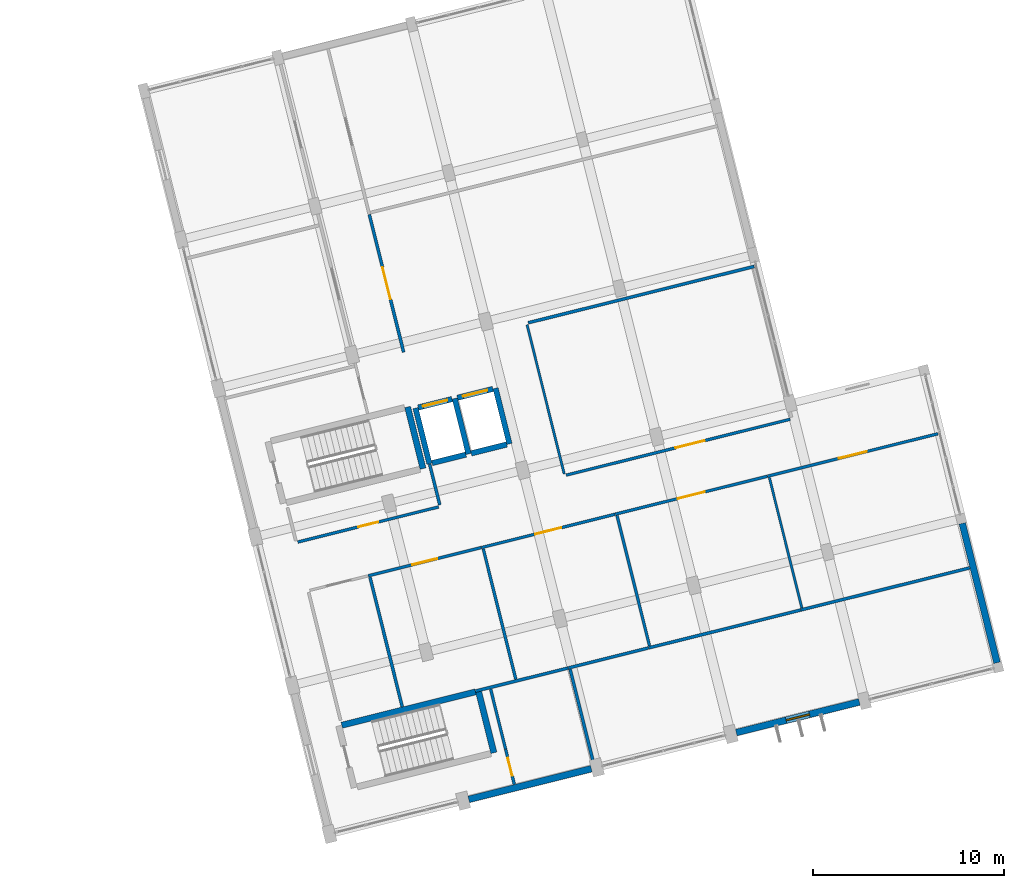
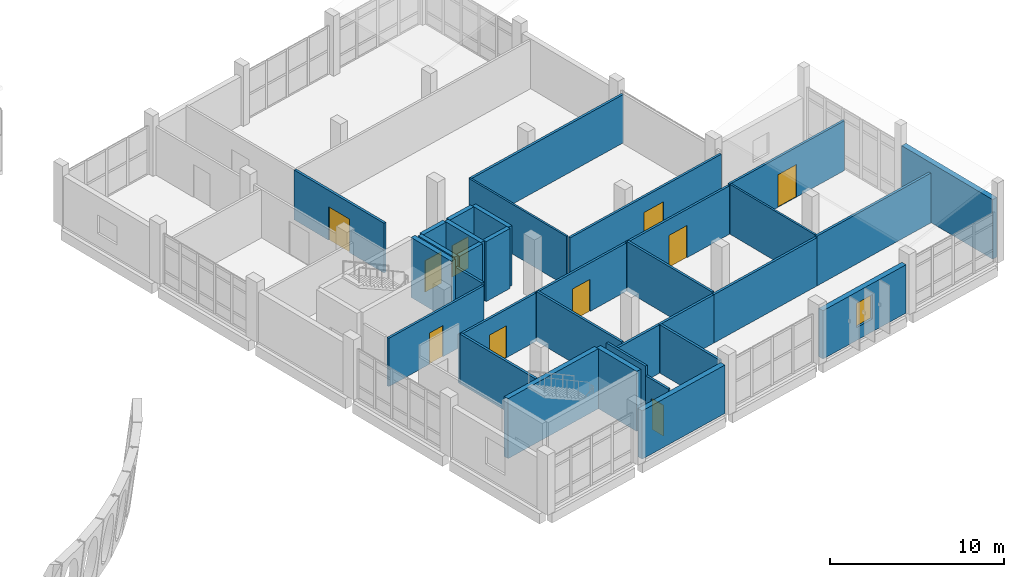
# One storey, part 148 of 164: 34 walls, 10 doors, 1 window, 11 openings.
"""IFC4 building model written with IfcOpenShell, lengths in metres."""

from ifc_helpers import new_model, si_unit, direction, frame, frame_2d, origin, place, context, subcontext, project, spatial, rectangle, extrude, material, layer, layer_set, type_object, element, fill, save


model = new_model("IFC4")

# Units and contexts
model_context = context("Model", 3, precision=1e-05, world=origin(), true_north=direction((0.0, 1.0)))
body_context = subcontext(model_context, "Body", "Model", "MODEL_VIEW")
ifc_project = project(units=[si_unit("LENGTHUNIT", "METRE"), si_unit("AREAUNIT", "SQUARE_METRE"), si_unit("VOLUMEUNIT", "CUBIC_METRE"), si_unit("PLANEANGLEUNIT", "RADIAN"), si_unit("MASSUNIT", "GRAM", prefix="KILO")], contexts=[model_context])

# Site, building, storey
site_placement = place(None, origin())
site = spatial("IfcSite", under=ifc_project, at=site_placement, CompositionType="ELEMENT")
building_placement = place(site_placement, origin())
building = spatial("IfcBuilding", under=site, at=building_placement, Name="Mawjan Specialist Oncology Clinic", CompositionType="ELEMENT")
storey_placement = place(building_placement, frame((0.0, 0.0, 5.0)))
storey = spatial("IfcBuildingStorey", under=building, at=storey_placement, Name="L01", CompositionType="ELEMENT", Elevation=5.0)

# Wall
ifc_material_1 = material(Name="Precast concrete C40/50", Category="concrete")
ifc_layer_1 = layer(ifc_material_1, 0.35009765625, Name="Precast concrete C40/50", Category="concrete")
ifc_layer_set_1 = layer_set([ifc_layer_1], Name="Precast concrete C40/50")
wall_type_1 = type_object("IfcWallType", Name="EW-350", PredefinedType="SOLIDWALL", material=ifc_layer_set_1)
wall_1_placement = place(storey_placement, frame((159.0556640625, 17.029052734375, 0.0), z_axis=(0.0, 0.0, 1.0), x_axis=(0.241922842305, -0.970295490235, 0.0)))
element("IfcWall", 1, at=wall_1_placement, inside=storey, type_object=wall_type_1, Name="L01 Coral-Limestone Exterior Wall EW-L01-074", PredefinedType="SOLIDWALL", context=body_context, shape_type="SweptSolid", body=[
    extrude(rectangle(XDim=7.500244140625, YDim=0.35009765625, at=frame_2d((3.75, 0.0))), origin(), (0.0, 0.0, 1.0), 4.169921875),
])

# Wall, opening, window
wall_2_placement = place(storey_placement, frame((153.677734375, 7.700927734375, 0.0), z_axis=(0.0, 0.0, 1.0), x_axis=(-0.970294050816, -0.241928615405, 0.0)))
wall_2 = element("IfcWall", 2, at=wall_2_placement, inside=storey, type_object=wall_type_1, Name="L01 Coral-Limestone Exterior Wall EW-L01-075", PredefinedType="SOLIDWALL", context=body_context, shape_type="SweptSolid", body=[
    extrude(rectangle(XDim=6.625, YDim=0.35009765625, at=frame_2d((3.3125, 0.0))), origin(), (0.0, 0.0, 1.0), 3.385009765625),
])
opening_1_placement = place(wall_2_placement, frame((2.6875, 0.0, 0.89990234375)))
opening_1 = element("IfcOpeningElement", 3, at=opening_1_placement, cuts=wall_2, Name="Opening WN-11", PredefinedType="OPENING", context=body_context, shape_type="SweptSolid", body=[
    extrude(rectangle(XDim=1.25, YDim=1.699951171875, at=frame_2d((0.625, 0.85009765625))), frame((0.0, 0.18701171875, 0.0), z_axis=(0.0, -1.0, 0.0), x_axis=(1.0, 0.0, 0.0)), (0.0, 0.0, 1.0), 0.3740234375),
])
ifc_material_2 = material(Name="Thermally broken low-E clinical aluminium window", Category="aluminium")
window_type = type_object("IfcWindowType", Name="WN-11", PartitioningType="SINGLE_PANEL", PredefinedType="WINDOW", material=ifc_material_2)
window_placement = place(opening_1_placement, origin())
window = element("IfcWindow", 4, at=window_placement, inside=storey, type_object=window_type, Name="L01 Clinical Low-E Window 011", OverallHeight=1.699951171875, OverallWidth=1.25, PartitioningType="SINGLE_PANEL", PredefinedType="WINDOW", context=body_context, shape_type="SweptSolid", body=[
    extrude(rectangle(XDim=1.25, YDim=1.699951171875, at=frame_2d((0.625, 0.85009765625))), frame((0.0, 0.030029296875, 0.0), z_axis=(0.0, -1.0, 0.0), x_axis=(1.0, 0.0, 0.0)), (0.0, 0.0, 1.0), 0.06005859375),
])
fill(opening_1, window)

# Walls
wall_3_placement = place(storey_placement, frame((139.68115234375, 4.211181640625, 0.0), z_axis=(0.0, 0.0, 1.0), x_axis=(-0.970296792907, -0.241917617537, 0.0)))
element("IfcWall", 5, at=wall_3_placement, inside=storey, type_object=wall_type_1, Name="L01 Coral-Limestone Exterior Wall EW-L01-076", PredefinedType="SOLIDWALL", context=body_context, shape_type="SweptSolid", body=[
    extrude(rectangle(XDim=6.60009765625, YDim=0.35009765625, at=frame_2d((3.300048828125, 0.0))), origin(), (0.0, 0.0, 1.0), 3.385009765625),
])
ifc_material_3 = material(Name="Concrete C45/55", Category="concrete")
ifc_layer_2 = layer(ifc_material_3, 0.280029296875, Name="Concrete C45/55", Category="concrete")
ifc_layer_set_2 = layer_set([ifc_layer_2], Name="Concrete C45/55")
wall_type_2 = type_object("IfcWallType", Name="SW-300", PredefinedType="SHEAR", material=ifc_layer_set_2)
wall_4_placement = place(storey_placement, frame((131.36328125, 20.17578125, 0.0), z_axis=(0.0, 0.0, 1.0), x_axis=(0.970284587517, 0.241966566341, 0.0)))
element("IfcWall", 6, at=wall_4_placement, inside=storey, type_object=wall_type_2, Name="L01 LF-01 Hoistway Wall 1", PredefinedType="SHEAR", context=body_context, shape_type="SweptSolid", body=[
    extrude(rectangle(XDim=1.817138671875, YDim=0.280029296875, at=frame_2d((0.90869140625, 0.0))), origin(), (0.0, 0.0, 1.0), 4.199951171875),
])
wall_5_placement = place(storey_placement, frame((133.26708984375, 20.650634765625, 0.0), z_axis=(0.0, 0.0, 1.0), x_axis=(-0.241921647353, 0.970295788171, 0.0)))
element("IfcWall", 7, at=wall_5_placement, inside=storey, type_object=wall_type_2, Name="L01 LF-01 Hoistway Wall 2", PredefinedType="SHEAR", context=body_context, shape_type="SweptSolid", body=[
    extrude(rectangle(XDim=2.994140625, YDim=0.280029296875, at=frame_2d((1.4970703125, 0.0))), origin(), (0.0, 0.0, 1.0), 4.199951171875),
])

# Wall, opening, door
wall_6_placement = place(storey_placement, frame((132.402099609375, 23.52099609375, 0.0), z_axis=(0.0, 0.0, 1.0), x_axis=(-0.970284587517, -0.241966566341, 0.0)))
wall_6 = element("IfcWall", 8, at=wall_6_placement, inside=storey, type_object=wall_type_2, Name="L01 LF-01 Hoistway Wall 3", PredefinedType="SHEAR", context=body_context, shape_type="SweptSolid", body=[
    extrude(rectangle(XDim=1.817138671875, YDim=0.280029296875, at=frame_2d((0.90869140625, 0.0))), origin(), (0.0, 0.0, 1.0), 4.199951171875),
])
opening_2_placement = place(wall_6_placement, frame((0.258544921875, 0.0, 0.0)))
opening_2 = element("IfcOpeningElement", 9, at=opening_2_placement, cuts=wall_6, Name="Opening LD-01-L01", PredefinedType="OPENING", context=body_context, shape_type="SweptSolid", body=[
    extrude(rectangle(XDim=1.300048828125, YDim=2.199951171875, at=frame_2d((0.64990234375, 1.10009765625))), frame((0.0, 0.152099609375, 0.0), z_axis=(0.0, -1.0, 0.0), x_axis=(1.0, 0.0, 0.0)), (0.0, 0.0, 1.0), 0.303955078125),
])
ifc_material_4 = material(Name="Stainless-steel fire-rated hospital door", Category="steel")
door_type_1 = type_object("IfcDoorType", Name="LD-130", OperationType="SLIDING_TO_LEFT", PredefinedType="DOOR", material=ifc_material_4)
door_1_placement = place(opening_2_placement, origin())
door_1 = element("IfcDoor", 10, at=door_1_placement, inside=storey, type_object=door_type_1, Name="L01 LF-01 Sliding Lift Landing Door", OperationType="SLIDING_TO_LEFT", OverallHeight=2.199951171875, OverallWidth=1.300048828125, PredefinedType="DOOR", context=body_context, shape_type="SweptSolid", body=[
    extrude(rectangle(XDim=1.300048828125, YDim=2.199951171875, at=frame_2d((0.64990234375, 1.10009765625))), frame((0.0, 0.02490234375, 0.0), z_axis=(0.0, -1.0, 0.0), x_axis=(1.0, 0.0, 0.0)), (0.0, 0.0, 1.0), 0.050048828125),
])
fill(opening_2, door_1)

# Walls
wall_7_placement = place(storey_placement, frame((130.498291015625, 23.046142578125, 0.0), z_axis=(0.0, 0.0, 1.0), x_axis=(0.241921647353, -0.970295788171, 0.0)))
element("IfcWall", 11, at=wall_7_placement, inside=storey, type_object=wall_type_2, Name="L01 LF-01 Hoistway Wall 4", PredefinedType="SHEAR", context=body_context, shape_type="SweptSolid", body=[
    extrude(rectangle(XDim=2.994140625, YDim=0.280029296875, at=frame_2d((1.4970703125, 0.0))), origin(), (0.0, 0.0, 1.0), 4.199951171875),
])
wall_8_placement = place(storey_placement, frame((133.407958984375, 20.685546875, 0.0), z_axis=(0.0, 0.0, 1.0), x_axis=(0.970285190026, 0.241964150272, 0.0)))
element("IfcWall", 12, at=wall_8_placement, inside=storey, type_object=wall_type_2, Name="L01 LF-02 Hoistway Wall 1", PredefinedType="SHEAR", context=body_context, shape_type="SweptSolid", body=[
    extrude(rectangle(XDim=1.909912109375, YDim=0.280029296875, at=frame_2d((0.955078125, 0.0))), origin(), (0.0, 0.0, 1.0), 4.199951171875),
])
wall_9_placement = place(storey_placement, frame((135.40185546875, 21.182861328125, 0.0), z_axis=(0.0, 0.0, 1.0), x_axis=(-0.241921647353, 0.970295788171, 0.0)))
element("IfcWall", 13, at=wall_9_placement, inside=storey, type_object=wall_type_2, Name="L01 LF-02 Hoistway Wall 2", PredefinedType="SHEAR", context=body_context, shape_type="SweptSolid", body=[
    extrude(rectangle(XDim=2.994140625, YDim=0.280029296875, at=frame_2d((1.4970703125, 0.0))), origin(), (0.0, 0.0, 1.0), 4.199951171875),
])

# Wall, opening, door
wall_10_placement = place(storey_placement, frame((134.53662109375, 24.05322265625, 0.0), z_axis=(0.0, 0.0, 1.0), x_axis=(-0.970285190026, -0.241964150272, 0.0)))
wall_10 = element("IfcWall", 14, at=wall_10_placement, inside=storey, type_object=wall_type_2, Name="L01 LF-02 Hoistway Wall 3", PredefinedType="SHEAR", context=body_context, shape_type="SweptSolid", body=[
    extrude(rectangle(XDim=1.909912109375, YDim=0.280029296875, at=frame_2d((0.955078125, 0.0))), origin(), (0.0, 0.0, 1.0), 4.199951171875),
])
opening_3_placement = place(wall_10_placement, frame((0.304931640625, 0.0, 0.0)))
opening_3 = element("IfcOpeningElement", 15, at=opening_3_placement, cuts=wall_10, Name="Opening LD-02-L01", PredefinedType="OPENING", context=body_context, shape_type="SweptSolid", body=[
    extrude(rectangle(XDim=1.300048828125, YDim=2.199951171875, at=frame_2d((0.64990234375, 1.10009765625))), frame((0.0, 0.152099609375, 0.0), z_axis=(0.0, -1.0, 0.0), x_axis=(1.0, 0.0, 0.0)), (0.0, 0.0, 1.0), 0.303955078125),
])
door_2_placement = place(opening_3_placement, origin())
door_2 = element("IfcDoor", 16, at=door_2_placement, inside=storey, type_object=door_type_1, Name="L01 LF-02 Sliding Lift Landing Door", OperationType="SLIDING_TO_RIGHT", OverallHeight=2.199951171875, OverallWidth=1.300048828125, PredefinedType="DOOR", context=body_context, shape_type="SweptSolid", body=[
    extrude(rectangle(XDim=1.300048828125, YDim=2.199951171875, at=frame_2d((0.64990234375, 1.10009765625))), frame((0.0, 0.02490234375, 0.0), z_axis=(0.0, -1.0, 0.0), x_axis=(1.0, 0.0, 0.0)), (0.0, 0.0, 1.0), 0.050048828125),
])
fill(opening_3, door_2)

# Walls
ifc_material_5 = material(Name="Concrete C45/55", Category="concrete")
ifc_layer_3 = layer(ifc_material_5, 0.320068359375, Name="Concrete C45/55", Category="concrete")
ifc_layer_set_3 = layer_set([ifc_layer_3], Name="Concrete C45/55")
wall_type_3 = type_object("IfcWallType", Name="SW-350", PredefinedType="SHEAR", material=ifc_layer_set_3)
wall_11_placement = place(storey_placement, frame((130.886962890625, 19.889404296875, 0.0), z_axis=(0.0, 0.0, 1.0), x_axis=(-0.241947258837, 0.970289402158, 0.0)))
element("IfcWall", 17, at=wall_11_placement, inside=storey, type_object=wall_type_3, Name="L01 Core K5 Stair Shear Wall 2", PredefinedType="SHEAR", context=body_context, shape_type="SweptSolid", body=[
    extrude(rectangle(XDim=3.31982421875, YDim=0.320068359375, at=frame_2d((1.659912109375, 0.0))), origin(), (0.0, 0.0, 1.0), 4.199951171875),
])
wall_12_placement = place(storey_placement, frame((134.58837890625, 5.043701171875, 0.0), z_axis=(0.0, 0.0, 1.0), x_axis=(-0.241929995817, 0.970293706629, 0.0)))
element("IfcWall", 18, at=wall_12_placement, inside=storey, type_object=wall_type_3, Name="L01 Core K6 Stair Shear Wall 2", PredefinedType="SHEAR", context=body_context, shape_type="SweptSolid", body=[
    extrude(rectangle(XDim=3.320068359375, YDim=0.320068359375, at=frame_2d((1.66015625, 0.0))), origin(), (0.0, 0.0, 1.0), 4.199951171875),
])
wall_13_placement = place(storey_placement, frame((133.625244140625, 8.225341796875, 0.0), z_axis=(0.0, 0.0, 1.0), x_axis=(-0.970294108333, -0.241928384724, 0.0)))
element("IfcWall", 19, at=wall_13_placement, inside=storey, type_object=wall_type_3, Name="L01 Core K6 Stair Shear Wall 3", PredefinedType="SHEAR", context=body_context, shape_type="SweptSolid", body=[
    extrude(rectangle(XDim=7.190185546875, YDim=0.320068359375, at=frame_2d((3.59521484375, 0.0))), origin(), (0.0, 0.0, 1.0), 4.199951171875),
])
ifc_material_6 = material(Name="Moisture-resistant washroom partition", Category="gypsum")
ifc_layer_4 = layer(ifc_material_6, 0.125, Name="Moisture-resistant washroom partition", Category="gypsum")
ifc_layer_set_4 = layer_set([ifc_layer_4], Name="Moisture-resistant washroom partition")
wall_type_4 = type_object("IfcWallType", Name="WP-125", PredefinedType="PARTITIONING", material=ifc_layer_set_4)
wall_14_placement = place(storey_placement, frame((150.677001953125, 12.60546875, 0.0), z_axis=(0.0, 0.0, 1.0), x_axis=(-0.241914380839, 0.970297599885, 0.0)))
element("IfcWall", 20, at=wall_14_placement, inside=storey, type_object=wall_type_4, Name="L01 Interior Partition W-RINT-L01-RCS4-E", PredefinedType="PARTITIONING", context=body_context, shape_type="SweptSolid", body=[
    extrude(rectangle(XDim=7.028076171875, YDim=0.125, at=frame_2d((3.51416015625, 0.0))), origin(), (0.0, 0.0, 1.0), 3.485107421875),
])
wall_15_placement = place(storey_placement, frame((138.263671875, 19.610595703125, 0.0), z_axis=(0.0, 0.0, 1.0), x_axis=(-0.241920353256, 0.970296110824, 0.0)))
element("IfcWall", 21, at=wall_15_placement, inside=storey, type_object=wall_type_4, Name="L01 Interior Partition W-RINT-L01-RDE1-W", PredefinedType="PARTITIONING", context=body_context, shape_type="SweptSolid", body=[
    extrude(rectangle(XDim=8.030029296875, YDim=0.125, at=frame_2d((4.01513671875, 0.0))), origin(), (0.0, 0.0, 1.0), 3.485107421875),
])

# Wall, opening, door
ifc_material_7 = material(Name="Acoustic gypsum clinical partition", Category="gypsum")
ifc_layer_5 = layer(ifc_material_7, 0.14990234375, Name="Acoustic gypsum clinical partition", Category="gypsum")
ifc_layer_set_5 = layer_set([ifc_layer_5], Name="Acoustic gypsum clinical partition")
wall_type_5 = type_object("IfcWallType", Name="WP-150", PredefinedType="PARTITIONING", material=ifc_layer_set_5)
wall_16_placement = place(storey_placement, frame((124.345947265625, 16.052978515625, 0.0), z_axis=(0.0, 0.0, 1.0), x_axis=(0.970295772287, 0.241921711059, 0.0)))
wall_16 = element("IfcWall", 22, at=wall_16_placement, inside=storey, type_object=wall_type_5, Name="L01 Interior Partition W-RINT-L01-RKS-S", PredefinedType="PARTITIONING", context=body_context, shape_type="SweptSolid", body=[
    extrude(rectangle(XDim=7.579833984375, YDim=0.14990234375, at=frame_2d((3.7900390625, 0.0))), origin(), (0.0, 0.0, 1.0), 3.385009765625),
])
opening_4_placement = place(wall_16_placement, frame((3.25, 0.0, 0.0)))
opening_4 = element("IfcOpeningElement", 23, at=opening_4_placement, cuts=wall_16, Name="Opening DI-108", PredefinedType="OPENING", context=body_context, shape_type="SweptSolid", body=[
    extrude(rectangle(XDim=1.080078125, YDim=2.179931640625, at=frame_2d((0.5400390625, 1.08984375))), frame((0.0, 0.0869140625, 0.0), z_axis=(0.0, -1.0, 0.0), x_axis=(1.0, 0.0, 0.0)), (0.0, 0.0, 1.0), 0.173828125),
])
ifc_material_8 = material(Name="Acoustic laminate hospital door leaf", Category="wood")
door_type_2 = type_object("IfcDoorType", Name="DI-108", OperationType="NOTDEFINED", PredefinedType="DOOR", material=ifc_material_8)
door_3_placement = place(opening_4_placement, origin())
door_3 = element("IfcDoor", 24, at=door_3_placement, inside=storey, type_object=door_type_2, Name="L01 Research Clean Supply Room Door", OperationType="SINGLE_SWING_LEFT", OverallHeight=2.179931640625, OverallWidth=1.080078125, PredefinedType="DOOR", context=body_context, shape_type="SweptSolid", body=[
    extrude(rectangle(XDim=1.080078125, YDim=2.179931640625, at=frame_2d((0.5400390625, 1.08984375))), frame((0.0, 0.02490234375, 0.0), z_axis=(0.0, -1.0, 0.0), x_axis=(1.0, 0.0, 0.0)), (0.0, 0.0, 1.0), 0.050048828125),
])
fill(opening_4, door_3)

wall_17_placement = place(storey_placement, frame((135.65771484375, 3.400634765625, 0.0), z_axis=(0.0, 0.0, 1.0), x_axis=(-0.241923827719, 0.970295244543, 0.0)))
wall_17 = element("IfcWall", 25, at=wall_17_placement, inside=storey, type_object=wall_type_5, Name="L01 Interior Partition W-RINT-L01-RSE-W", PredefinedType="PARTITIONING", context=body_context, shape_type="SweptSolid", body=[
    extrude(rectangle(XDim=1.878173828125, YDim=0.14990234375, at=frame_2d((0.93896484375, 0.0))), origin(), (0.0, 0.0, 1.0), 3.534912109375),
])
opening_5_placement = place(wall_17_placement, frame((0.464111328125, 0.0, 0.0)))
opening_5 = element("IfcOpeningElement", 26, at=opening_5_placement, cuts=wall_17, Name="Opening DA-95", PredefinedType="OPENING", context=body_context, shape_type="SweptSolid", body=[
    extrude(rectangle(XDim=0.949951171875, YDim=2.14990234375, at=frame_2d((0.47509765625, 1.074951171875))), frame((0.0, 0.0869140625, 0.0), z_axis=(0.0, -1.0, 0.0), x_axis=(1.0, 0.0, 0.0)), (0.0, 0.0, 1.0), 0.173828125),
])
ifc_material_9 = material(Name="Acoustic laminate hospital door leaf", Category="wood")
door_type_3 = type_object("IfcDoorType", Name="DA-95", OperationType="NOTDEFINED", PredefinedType="DOOR", material=ifc_material_9)
door_4_placement = place(opening_5_placement, origin())
door_4 = element("IfcDoor", 27, at=door_4_placement, inside=storey, type_object=door_type_3, Name="L01 Clinical Protocol Review Office Door", OperationType="SINGLE_SWING_LEFT", OverallHeight=2.14990234375, OverallWidth=0.949951171875, PredefinedType="DOOR", context=body_context, shape_type="SweptSolid", body=[
    extrude(rectangle(XDim=0.949951171875, YDim=2.14990234375, at=frame_2d((0.47509765625, 1.074951171875))), frame((0.0, 0.02490234375, 0.0), z_axis=(0.0, -1.0, 0.0), x_axis=(1.0, 0.0, 0.0)), (0.0, 0.0, 1.0), 0.050048828125),
])
fill(opening_5, door_4)

wall_18_placement = place(storey_placement, frame((128.0234375, 14.290283203125, 0.0), z_axis=(0.0, 0.0, 1.0), x_axis=(0.970293282145, 0.241931698263, 0.0)))
wall_18 = element("IfcWall", 28, at=wall_18_placement, inside=storey, type_object=wall_type_5, Name="L01 Interior Partition W-RINT-L01-RAS2-N", PredefinedType="PARTITIONING", context=body_context, shape_type="SweptSolid", body=[
    extrude(rectangle(XDim=6.088134765625, YDim=0.14990234375, at=frame_2d((3.0439453125, 0.0))), origin(), (0.0, 0.0, 1.0), 3.385009765625),
])
opening_6_placement = place(wall_18_placement, frame((2.3740234375, 0.0, 0.0)))
opening_6 = element("IfcOpeningElement", 29, at=opening_6_placement, cuts=wall_18, Name="Opening DC-134", PredefinedType="OPENING", context=body_context, shape_type="SweptSolid", body=[
    extrude(rectangle(XDim=1.340087890625, YDim=2.239990234375, at=frame_2d((0.669921875, 1.1201171875))), frame((0.0, 0.0869140625, 0.0), z_axis=(0.0, -1.0, 0.0), x_axis=(1.0, 0.0, 0.0)), (0.0, 0.0, 1.0), 0.173828125),
])
ifc_material_10 = material(Name="Acoustic laminate hospital door leaf", Category="wood")
door_type_4 = type_object("IfcDoorType", Name="DC-134", OperationType="NOTDEFINED", PredefinedType="DOOR", material=ifc_material_10)
door_5_placement = place(opening_6_placement, origin())
door_5 = element("IfcDoor", 30, at=door_5_placement, inside=storey, type_object=door_type_4, Name="L01 Molecular Pathology Laboratory Door", OperationType="SINGLE_SWING_RIGHT", OverallHeight=2.239990234375, OverallWidth=1.340087890625, PredefinedType="DOOR", context=body_context, shape_type="SweptSolid", body=[
    extrude(rectangle(XDim=1.340087890625, YDim=2.239990234375, at=frame_2d((0.669921875, 1.1201171875))), frame((0.0, 0.02490234375, 0.0), z_axis=(0.0, -1.0, 0.0), x_axis=(1.0, 0.0, 0.0)), (0.0, 0.0, 1.0), 0.050048828125),
])
fill(opening_6, door_5)

wall_19_placement = place(storey_placement, frame((133.9423828125, 15.765869140625, 0.0), z_axis=(0.0, 0.0, 1.0), x_axis=(0.970292162734, 0.241936187739, 0.0)))
wall_19 = element("IfcWall", 31, at=wall_19_placement, inside=storey, type_object=wall_type_5, Name="L01 Interior Partition W-RINT-L01-RBS3-N", PredefinedType="PARTITIONING", context=body_context, shape_type="SweptSolid", body=[
    extrude(rectangle(XDim=7.18798828125, YDim=0.14990234375, at=frame_2d((3.593994140625, 0.0))), origin(), (0.0, 0.0, 1.0), 3.385009765625),
])
opening_7_placement = place(wall_19_placement, frame((2.89404296875, 0.0, 0.0)))
opening_7 = element("IfcOpeningElement", 32, at=opening_7_placement, cuts=wall_19, Name="Opening DC-140", PredefinedType="OPENING", context=body_context, shape_type="SweptSolid", body=[
    extrude(rectangle(XDim=1.39990234375, YDim=2.25, at=frame_2d((0.699951171875, 1.125))), frame((0.0, 0.0869140625, 0.0), z_axis=(0.0, -1.0, 0.0), x_axis=(1.0, 0.0, 0.0)), (0.0, 0.0, 1.0), 0.173828125),
])
ifc_material_11 = material(Name="Acoustic laminate hospital door leaf", Category="wood")
door_type_5 = type_object("IfcDoorType", Name="DC-140", OperationType="NOTDEFINED", PredefinedType="DOOR", material=ifc_material_11)
door_6_placement = place(opening_7_placement, origin())
door_6 = element("IfcDoor", 33, at=door_6_placement, inside=storey, type_object=door_type_5, Name="L01 Histopathology Staining Lab Door", OperationType="SINGLE_SWING_LEFT", OverallHeight=2.25, OverallWidth=1.39990234375, PredefinedType="DOOR", context=body_context, shape_type="SweptSolid", body=[
    extrude(rectangle(XDim=1.39990234375, YDim=2.25, at=frame_2d((0.699951171875, 1.125))), frame((0.0, 0.02490234375, 0.0), z_axis=(0.0, -1.0, 0.0), x_axis=(1.0, 0.0, 0.0)), (0.0, 0.0, 1.0), 0.050048828125),
])
fill(opening_7, door_6)

wall_20_placement = place(storey_placement, frame((140.928466796875, 17.5078125, 0.0), z_axis=(0.0, 0.0, 1.0), x_axis=(0.970293149657, 0.241932229621, 0.0)))
wall_20 = element("IfcWall", 34, at=wall_20_placement, inside=storey, type_object=wall_type_5, Name="L01 Interior Partition W-RINT-L01-RCS4-N", PredefinedType="PARTITIONING", context=body_context, shape_type="SweptSolid", body=[
    extrude(rectangle(XDim=8.18798828125, YDim=0.14990234375, at=frame_2d((4.093994140625, 0.0))), origin(), (0.0, 0.0, 1.0), 3.385009765625),
])
opening_8_placement = place(wall_20_placement, frame((3.368896484375, 0.0, 0.0)))
opening_8 = element("IfcOpeningElement", 35, at=opening_8_placement, cuts=wall_20, Name="Opening DC-145", PredefinedType="OPENING", context=body_context, shape_type="SweptSolid", body=[
    extrude(rectangle(XDim=1.449951171875, YDim=2.260009765625, at=frame_2d((0.72509765625, 1.1298828125))), frame((0.0, 0.0869140625, 0.0), z_axis=(0.0, -1.0, 0.0), x_axis=(1.0, 0.0, 0.0)), (0.0, 0.0, 1.0), 0.173828125),
])
ifc_material_12 = material(Name="Acoustic laminate hospital door leaf", Category="wood")
door_type_6 = type_object("IfcDoorType", Name="DC-145", OperationType="NOTDEFINED", PredefinedType="DOOR", material=ifc_material_12)
door_7_placement = place(opening_8_placement, origin())
door_7 = element("IfcDoor", 36, at=door_7_placement, inside=storey, type_object=door_type_6, Name="L01 Flow Cytometry Diagnostic Lab Door", OperationType="SINGLE_SWING_LEFT", OverallHeight=2.260009765625, OverallWidth=1.449951171875, PredefinedType="DOOR", context=body_context, shape_type="SweptSolid", body=[
    extrude(rectangle(XDim=1.449951171875, YDim=2.260009765625, at=frame_2d((0.72509765625, 1.1298828125))), frame((0.0, 0.02490234375, 0.0), z_axis=(0.0, -1.0, 0.0), x_axis=(1.0, 0.0, 0.0)), (0.0, 0.0, 1.0), 0.050048828125),
])
fill(opening_8, door_7)

wall_21_placement = place(storey_placement, frame((148.884765625, 19.491455078125, 0.0), z_axis=(0.0, 0.0, 1.0), x_axis=(0.970294203895, 0.241928001454, 0.0)))
wall_21 = element("IfcWall", 37, at=wall_21_placement, inside=storey, type_object=wall_type_5, Name="L01 Interior Partition W-RINT-L01-RDS5-N", PredefinedType="PARTITIONING", context=body_context, shape_type="SweptSolid", body=[
    extrude(rectangle(XDim=9.171142578125, YDim=0.14990234375, at=frame_2d((4.58544921875, 0.0))), origin(), (0.0, 0.0, 1.0), 3.485107421875),
])
opening_9_placement = place(wall_21_placement, frame((3.83544921875, 0.0, 0.0)))
opening_9 = element("IfcOpeningElement", 38, at=opening_9_placement, cuts=wall_21, Name="Opening DC-150", PredefinedType="OPENING", context=body_context, shape_type="SweptSolid", body=[
    extrude(rectangle(XDim=1.5, YDim=2.280029296875, at=frame_2d((0.75, 1.14013671875))), frame((0.0, 0.0869140625, 0.0), z_axis=(0.0, -1.0, 0.0), x_axis=(1.0, 0.0, 0.0)), (0.0, 0.0, 1.0), 0.173828125),
])
ifc_material_13 = material(Name="Acoustic laminate hospital door leaf", Category="wood")
door_type_7 = type_object("IfcDoorType", Name="DC-150", OperationType="NOTDEFINED", PredefinedType="DOOR", material=ifc_material_13)
door_8_placement = place(opening_9_placement, origin())
door_8 = element("IfcDoor", 39, at=door_8_placement, inside=storey, type_object=door_type_7, Name="L01 Tumor Board Conference Hall Door", OperationType="SINGLE_SWING_RIGHT", OverallHeight=2.280029296875, OverallWidth=1.5, PredefinedType="DOOR", context=body_context, shape_type="SweptSolid", body=[
    extrude(rectangle(XDim=1.5, YDim=2.280029296875, at=frame_2d((0.75, 1.14013671875))), frame((0.0, 0.02490234375, 0.0), z_axis=(0.0, -1.0, 0.0), x_axis=(1.0, 0.0, 0.0)), (0.0, 0.0, 1.0), 0.050048828125),
])
fill(opening_9, door_8)

wall_22_placement = place(storey_placement, frame((138.36669921875, 19.548583984375, 0.0), z_axis=(0.0, 0.0, 1.0), x_axis=(0.970292357867, 0.241935405151, 0.0)))
wall_22 = element("IfcWall", 40, at=wall_22_placement, inside=storey, type_object=wall_type_5, Name="L01 Interior Partition W-RINT-L01-RDE1-S", PredefinedType="PARTITIONING", context=body_context, shape_type="SweptSolid", body=[
    extrude(rectangle(XDim=12.059814453125, YDim=0.14990234375, at=frame_2d((6.02978515625, 0.0))), origin(), (0.0, 0.0, 1.0), 3.385009765625),
])
opening_10_placement = place(wall_22_placement, frame((5.8798828125, 0.0, 0.0)))
opening_10 = element("IfcOpeningElement", 41, at=opening_10_placement, cuts=wall_22, Name="Opening DC-156", PredefinedType="OPENING", context=body_context, shape_type="SweptSolid", body=[
    extrude(rectangle(XDim=1.56005859375, YDim=2.300048828125, at=frame_2d((0.780029296875, 1.14990234375))), frame((0.0, 0.0869140625, 0.0), z_axis=(0.0, -1.0, 0.0), x_axis=(1.0, 0.0, 0.0)), (0.0, 0.0, 1.0), 0.173828125),
])
ifc_material_14 = material(Name="Acoustic laminate hospital door leaf", Category="wood")
door_type_8 = type_object("IfcDoorType", Name="DC-156", OperationType="NOTDEFINED", PredefinedType="DOOR", material=ifc_material_14)
door_9_placement = place(opening_10_placement, origin())
door_9 = element("IfcDoor", 42, at=door_9_placement, inside=storey, type_object=door_type_8, Name="L01 East Tumor Board Conference Hall Door", OperationType="SINGLE_SWING_RIGHT", OverallHeight=2.300048828125, OverallWidth=1.56005859375, PredefinedType="DOOR", context=body_context, shape_type="SweptSolid", body=[
    extrude(rectangle(XDim=1.56005859375, YDim=2.300048828125, at=frame_2d((0.780029296875, 1.14990234375))), frame((0.0, 0.02490234375, 0.0), z_axis=(0.0, -1.0, 0.0), x_axis=(1.0, 0.0, 0.0)), (0.0, 0.0, 1.0), 0.050048828125),
])
fill(opening_10, door_9)

# Walls
wall_23_placement = place(storey_placement, frame((135.200439453125, 5.234619140625, 0.0), z_axis=(0.0, 0.0, 1.0), x_axis=(-0.241877725159, 0.970306738136, 0.0)))
element("IfcWall", 43, at=wall_23_placement, inside=storey, type_object=wall_type_5, Name="L01 Interior Partition W-RINT-L01-RSE-WB", PredefinedType="PARTITIONING", context=body_context, shape_type="SweptSolid", body=[
    extrude(rectangle(XDim=3.23095703125, YDim=0.14990234375, at=frame_2d((1.615478515625, 0.0))), origin(), (0.0, 0.0, 1.0), 4.199951171875),
])
wall_24_placement = place(storey_placement, frame((135.732666015625, 8.88671875, 0.0), z_axis=(0.0, 0.0, 1.0), x_axis=(-0.241913757308, 0.970297755344, 0.0)))
element("IfcWall", 44, at=wall_24_placement, inside=storey, type_object=wall_type_5, Name="L01 Interior Partition W-RINT-L01-RAS2-E", PredefinedType="PARTITIONING", context=body_context, shape_type="SweptSolid", body=[
    extrude(rectangle(XDim=7.02099609375, YDim=0.14990234375, at=frame_2d((3.510498046875, 0.0))), origin(), (0.0, 0.0, 1.0), 3.485107421875),
])
wall_25_placement = place(storey_placement, frame((142.720458984375, 10.621826171875, 0.0), z_axis=(0.0, 0.0, 1.0), x_axis=(-0.241914380839, 0.970297599885, 0.0)))
element("IfcWall", 45, at=wall_25_placement, inside=storey, type_object=wall_type_5, Name="L01 Interior Partition W-RINT-L01-RBS3-E", PredefinedType="PARTITIONING", context=body_context, shape_type="SweptSolid", body=[
    extrude(rectangle(XDim=7.028076171875, YDim=0.14990234375, at=frame_2d((3.51416015625, 0.0))), origin(), (0.0, 0.0, 1.0), 3.485107421875),
])

# Wall, opening, door
ifc_material_15 = material(Name="Acoustic clinical twin-stud partition", Category="gypsum")
ifc_layer_6 = layer(ifc_material_15, 0.159912109375, Name="Acoustic clinical twin-stud partition", Category="gypsum")
ifc_layer_set_6 = layer_set([ifc_layer_6], Name="Acoustic clinical twin-stud partition")
wall_type_6 = type_object("IfcWallType", Name="WP-160", PredefinedType="PARTITIONING", material=ifc_layer_set_6)
wall_26_placement = place(storey_placement, frame((129.8759765625, 25.97021484375, 0.0), z_axis=(0.0, 0.0, 1.0), x_axis=(-0.241938716353, 0.970291532236, 0.0)))
wall_26 = element("IfcWall", 46, at=wall_26_placement, inside=storey, type_object=wall_type_6, Name="L01 Interior Partition W-RINT-L01-RNE1-W", PredefinedType="PARTITIONING", context=body_context, shape_type="SweptSolid", body=[
    extrude(rectangle(XDim=7.410888671875, YDim=0.159912109375, at=frame_2d((3.70556640625, 0.0))), origin(), (0.0, 0.0, 1.0), 3.485107421875),
])
opening_11_placement = place(wall_26_placement, frame((2.845458984375, 0.0, 0.0)))
opening_11 = element("IfcOpeningElement", 47, at=opening_11_placement, cuts=wall_26, Name="Opening DC-172", PredefinedType="OPENING", context=body_context, shape_type="SweptSolid", body=[
    extrude(rectangle(XDim=1.719970703125, YDim=2.340087890625, at=frame_2d((0.85986328125, 1.169921875))), frame((0.0, 0.092041015625, 0.0), z_axis=(0.0, -1.0, 0.0), x_axis=(1.0, 0.0, 0.0)), (0.0, 0.0, 1.0), 0.183837890625),
])
ifc_material_16 = material(Name="Acoustic laminate hospital door leaf", Category="wood")
door_type_9 = type_object("IfcDoorType", Name="DC-172", OperationType="NOTDEFINED", PredefinedType="DOOR", material=ifc_material_16)
door_10_placement = place(opening_11_placement, origin())
door_10 = element("IfcDoor", 48, at=door_10_placement, inside=storey, type_object=door_type_9, Name="L01 Molecular Diagnostics Wet Lab Door", OperationType="SINGLE_SWING_RIGHT", OverallHeight=2.340087890625, OverallWidth=1.719970703125, PredefinedType="DOOR", context=body_context, shape_type="SweptSolid", body=[
    extrude(rectangle(XDim=1.719970703125, YDim=2.340087890625, at=frame_2d((0.85986328125, 1.169921875))), frame((0.0, 0.02490234375, 0.0), z_axis=(0.0, -1.0, 0.0), x_axis=(1.0, 0.0, 0.0)), (0.0, 0.0, 1.0), 0.050048828125),
])
fill(opening_11, door_10)

# Walls
wall_27_placement = place(storey_placement, frame((131.7626953125, 17.98974609375, 0.0), z_axis=(0.0, 0.0, 1.0), x_axis=(-0.241962612769, 0.970285573438, 0.0)))
element("IfcWall", 49, at=wall_27_placement, inside=storey, type_object=wall_type_6, Name="L01 Interior Partition W-RINT-L01-RKS-E", PredefinedType="PARTITIONING", context=body_context, shape_type="SweptSolid", body=[
    extrude(rectangle(XDim=2.20556640625, YDim=0.159912109375, at=frame_2d((1.102783203125, 0.0))), origin(), (0.0, 0.0, 1.0), 3.485107421875),
])
wall_28_placement = place(storey_placement, frame((133.627197265625, 8.26708984375, 0.0), z_axis=(0.0, 0.0, 1.0), x_axis=(0.970303519327, 0.241890637233, 0.0)))
element("IfcWall", 50, at=wall_28_placement, inside=storey, type_object=wall_type_6, Name="L01 Interior Partition W-RINT-L01-RSE-N", PredefinedType="PARTITIONING", context=body_context, shape_type="SweptSolid", body=[
    extrude(rectangle(XDim=4.988037109375, YDim=0.159912109375, at=frame_2d((2.494140625, 0.0))), origin(), (0.0, 0.0, 1.0), 3.385009765625),
])
wall_29_placement = place(storey_placement, frame((139.765869140625, 4.615478515625, 0.0), z_axis=(0.0, 0.0, 1.0), x_axis=(-0.241908041606, 0.970299180359, 0.0)))
element("IfcWall", 51, at=wall_29_placement, inside=storey, type_object=wall_type_6, Name="L01 Interior Partition W-RINT-L01-RSE-E", PredefinedType="PARTITIONING", context=body_context, shape_type="SweptSolid", body=[
    extrude(rectangle(XDim=4.943115234375, YDim=0.159912109375, at=frame_2d((2.4716796875, 0.0))), origin(), (0.0, 0.0, 1.0), 3.385009765625),
])
wall_30_placement = place(storey_placement, frame((129.80419921875, 7.449951171875, 0.0), z_axis=(0.0, 0.0, 1.0), x_axis=(-0.241910170124, 0.97029864969, 0.0)))
element("IfcWall", 52, at=wall_30_placement, inside=storey, type_object=wall_type_6, Name="L01 Interior Partition W-RINT-L01-RAS1-E", PredefinedType="PARTITIONING", context=body_context, shape_type="SweptSolid", body=[
    extrude(rectangle(XDim=6.980712890625, YDim=0.159912109375, at=frame_2d((3.490234375, 0.0))), origin(), (0.0, 0.0, 1.0), 3.485107421875),
])
wall_31_placement = place(storey_placement, frame((138.478515625, 9.4765625, 0.0), z_axis=(0.0, 0.0, 1.0), x_axis=(0.970295647322, 0.241922212266, 0.0)))
element("IfcWall", 53, at=wall_31_placement, inside=storey, type_object=wall_type_6, Name="L01 Interior Partition W-RINT-L01-RBS3-S", PredefinedType="PARTITIONING", context=body_context, shape_type="SweptSolid", body=[
    extrude(rectangle(XDim=4.30810546875, YDim=0.159912109375, at=frame_2d((2.154052734375, 0.0))), origin(), (0.0, 0.0, 1.0), 3.385009765625),
])
wall_32_placement = place(storey_placement, frame((142.67041015625, 10.521728515625, 0.0), z_axis=(0.0, 0.0, 1.0), x_axis=(0.970298403727, 0.241911156677, 0.0)))
element("IfcWall", 54, at=wall_32_placement, inside=storey, type_object=wall_type_6, Name="L01 Interior Partition W-RINT-L01-RCS4-S", PredefinedType="PARTITIONING", context=body_context, shape_type="SweptSolid", body=[
    extrude(rectangle(XDim=8.187744140625, YDim=0.159912109375, at=frame_2d((4.09375, 0.0))), origin(), (0.0, 0.0, 1.0), 3.385009765625),
])
wall_33_placement = place(storey_placement, frame((150.626708984375, 12.50537109375, 0.0), z_axis=(0.0, 0.0, 1.0), x_axis=(0.970292468543, 0.241934961279, 0.0)))
element("IfcWall", 55, at=wall_33_placement, inside=storey, type_object=wall_type_6, Name="L01 Interior Partition W-RINT-L01-RDS5-S", PredefinedType="PARTITIONING", context=body_context, shape_type="SweptSolid", body=[
    extrude(rectangle(XDim=9.086181640625, YDim=0.159912109375, at=frame_2d((4.54296875, 0.0))), origin(), (0.0, 0.0, 1.0), 3.485107421875),
])
wall_34_placement = place(storey_placement, frame((136.3828125, 27.505126953125, 0.0), z_axis=(0.0, 0.0, 1.0), x_axis=(0.970298155851, 0.241912150896, 0.0)))
element("IfcWall", 56, at=wall_34_placement, inside=storey, type_object=wall_type_6, Name="L01 Interior Partition W-RINT-L01-RDE1-N", PredefinedType="PARTITIONING", context=body_context, shape_type="SweptSolid", body=[
    extrude(rectangle(XDim=12.1630859375, YDim=0.159912109375, at=frame_2d((6.08154296875, 0.0))), origin(), (0.0, 0.0, 1.0), 3.385009765625),
])

save(model, "model.ifc")
